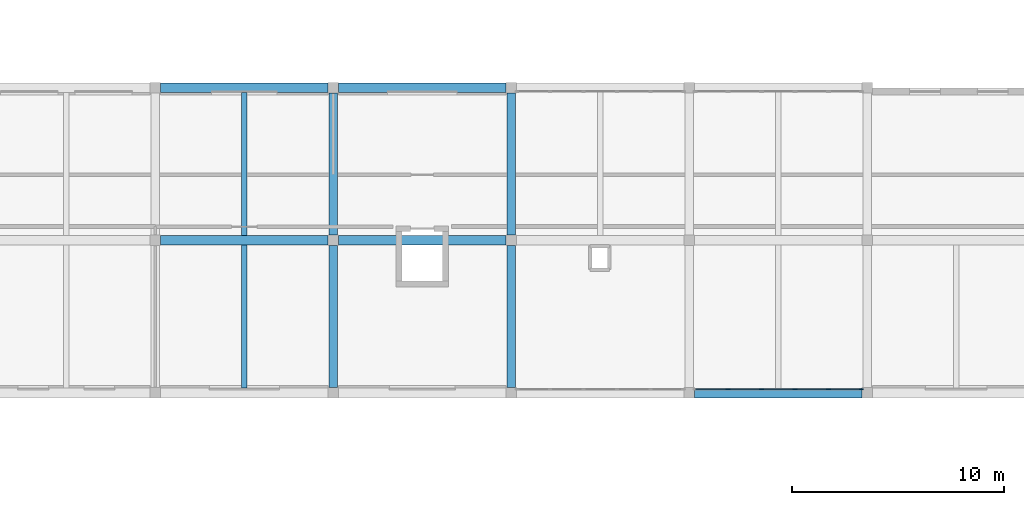
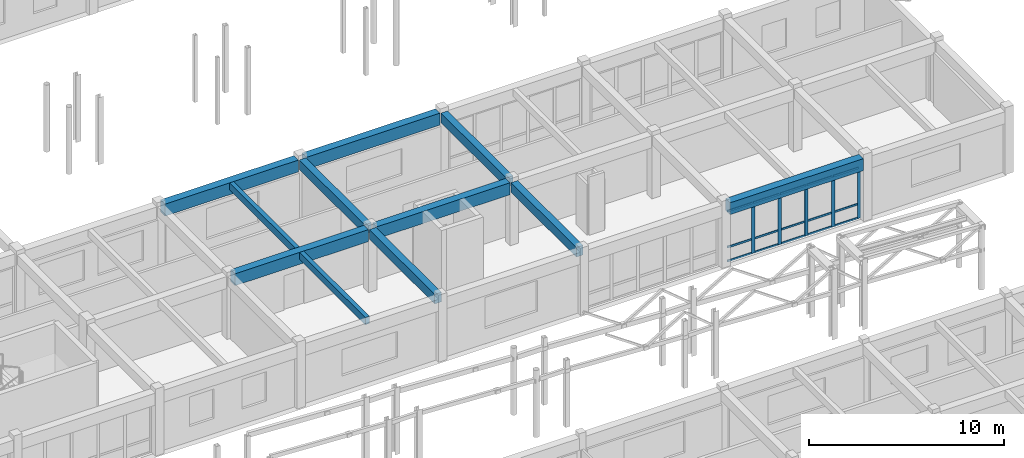
# One storey, part 48 of 90: 20 members, 11 beams, 1 element without a shape of its own.
"""IFC4 building model written with IfcOpenShell, lengths in metres."""

from ifc_helpers import new_model, si_unit, direction, frame, origin, origin_2d, place, context, subcontext, project, spatial, rectangle, extrude, material, material_profile, profile_set, type_object, element, aggregate, save


model = new_model("IFC4")

# Units and contexts
model_context = context("Model", 3, precision=1e-05, world=origin(), true_north=direction((0.0, 1.0)))
body_context = subcontext(model_context, "Body", "Model", "MODEL_VIEW")
ifc_project = project(units=[si_unit("LENGTHUNIT", "METRE"), si_unit("AREAUNIT", "SQUARE_METRE"), si_unit("VOLUMEUNIT", "CUBIC_METRE"), si_unit("PLANEANGLEUNIT", "RADIAN"), si_unit("MASSUNIT", "GRAM", prefix="KILO")], contexts=[model_context])

# Site, building, storey
site_placement = place(None, origin())
site = spatial("IfcSite", under=ifc_project, at=site_placement, CompositionType="ELEMENT")
building_placement = place(site_placement, origin())
building = spatial("IfcBuilding", under=site, at=building_placement, Name="Malvenik Polytechnic", CompositionType="ELEMENT")
storey_placement = place(building_placement, frame((0.0, 0.0, 9.300048828125)))
storey = spatial("IfcBuildingStorey", under=building, at=storey_placement, Name="L02", CompositionType="ELEMENT", Elevation=9.300048828125)

# Curtain wall, members
ifc_material_1 = material(Name="Anodised aluminium 6060-T6", Category="aluminium")
curtain_wall_type = type_object("IfcCurtainWallType", Name="ARC-CW-CW-03", PredefinedType="NOTDEFINED", material=ifc_material_1)
curtain_wall_placement = place(storey_placement, origin())
curtain_wall = element("IfcCurtainWall", 1, at=curtain_wall_placement, inside=storey, type_object=curtain_wall_type, Name="Unitised Curtain Wall CW-03 L02 #147", PredefinedType="NOTDEFINED")
ifc_material_2 = material(Name="Anodised aluminium", Category="aluminium")
ifc_material_profile_1 = material_profile(ifc_material_2, rectangle(XDim=0.06005859375, YDim=0.199951171875, at=origin_2d()), Name="ALU MULLION 60x200")
ifc_profile_set_1 = profile_set([ifc_material_profile_1], Name="Anodised aluminium")
member_type_1 = type_object("IfcMemberType", Name="ARC-CWM-200", PredefinedType="MULLION", material=ifc_profile_set_1)
member_1_placement = place(storey_placement, frame((125.721923828125, 79.3701171875, 0.0), z_axis=(0.0, 0.0, 1.0), x_axis=(0.0, -1.0, 0.0)))
member_1 = element("IfcMember", 2, at=member_1_placement, type_object=member_type_1, Name="CW-03 mullion 1", PredefinedType="MULLION", context=body_context, shape_type="SweptSolid", body=[
    extrude(rectangle(XDim=0.06005859375, YDim=0.199951171875, at=origin_2d()), origin(), (0.0, 0.0, 1.0), 3.179931640625),
])
member_2_placement = place(storey_placement, frame((124.171142578125, 79.3701171875, 0.0), z_axis=(0.0, 0.0, 1.0), x_axis=(0.0, -1.0, 0.0)))
member_2 = element("IfcMember", 3, at=member_2_placement, type_object=member_type_1, Name="CW-03 mullion 2", PredefinedType="MULLION", context=body_context, shape_type="SweptSolid", body=[
    extrude(rectangle(XDim=0.06005859375, YDim=0.199951171875, at=origin_2d()), origin(), (0.0, 0.0, 1.0), 3.179931640625),
])
member_3_placement = place(storey_placement, frame((122.59033203125, 79.3701171875, 0.0), z_axis=(0.0, 0.0, 1.0), x_axis=(0.0, -1.0, 0.0)))
member_3 = element("IfcMember", 4, at=member_3_placement, type_object=member_type_1, Name="CW-03 mullion 3", PredefinedType="MULLION", context=body_context, shape_type="SweptSolid", body=[
    extrude(rectangle(XDim=0.06005859375, YDim=0.199951171875, at=origin_2d()), origin(), (0.0, 0.0, 1.0), 3.179931640625),
])
member_4_placement = place(storey_placement, frame((121.009521484375, 79.3701171875, 0.0), z_axis=(0.0, 0.0, 1.0), x_axis=(0.0, -1.0, 0.0)))
member_4 = element("IfcMember", 5, at=member_4_placement, type_object=member_type_1, Name="CW-03 mullion 4", PredefinedType="MULLION", context=body_context, shape_type="SweptSolid", body=[
    extrude(rectangle(XDim=0.06005859375, YDim=0.199951171875, at=origin_2d()), origin(), (0.0, 0.0, 1.0), 3.179931640625),
])
member_5_placement = place(storey_placement, frame((119.4287109375, 79.3701171875, 0.0), z_axis=(0.0, 0.0, 1.0), x_axis=(0.0, -1.0, 0.0)))
member_5 = element("IfcMember", 6, at=member_5_placement, type_object=member_type_1, Name="CW-03 mullion 5", PredefinedType="MULLION", context=body_context, shape_type="SweptSolid", body=[
    extrude(rectangle(XDim=0.06005859375, YDim=0.199951171875, at=origin_2d()), origin(), (0.0, 0.0, 1.0), 3.179931640625),
])
ifc_material_profile_2 = material_profile(ifc_material_2, rectangle(XDim=0.06005859375, YDim=0.1201171875, at=origin_2d()), Name="ALU TRANSOM 60x120")
ifc_profile_set_2 = profile_set([ifc_material_profile_2], Name="Anodised aluminium")
member_type_2 = type_object("IfcMemberType", Name="ARC-CWT-120", PredefinedType="USERDEFINED", material=ifc_profile_set_2)
member_6_placement = place(storey_placement, frame((125.69189453125, 79.3701171875, 0.030029296875), z_axis=(-1.0, 0.0, 0.0), x_axis=(0.0, -1.0, 0.0)))
member_6 = element("IfcMember", 7, at=member_6_placement, type_object=member_type_2, Name="CW-03 transom 1.1", ObjectType="TRANSOM", PredefinedType="USERDEFINED", context=body_context, shape_type="SweptSolid", body=[
    extrude(rectangle(XDim=0.06005859375, YDim=0.1201171875, at=origin_2d()), origin(), (0.0, 0.0, 1.0), 1.49072265625),
])
member_7_placement = place(storey_placement, frame((125.69189453125, 79.3701171875, 0.89990234375), z_axis=(-1.0, 0.0, 0.0), x_axis=(0.0, -1.0, 0.0)))
member_7 = element("IfcMember", 8, at=member_7_placement, type_object=member_type_2, Name="CW-03 transom 1.2", ObjectType="TRANSOM", PredefinedType="USERDEFINED", context=body_context, shape_type="SweptSolid", body=[
    extrude(rectangle(XDim=0.06005859375, YDim=0.1201171875, at=origin_2d()), origin(), (0.0, 0.0, 1.0), 1.49072265625),
])
member_8_placement = place(storey_placement, frame((125.69189453125, 79.3701171875, 3.14990234375), z_axis=(-1.0, 0.0, 0.0), x_axis=(0.0, -1.0, 0.0)))
member_8 = element("IfcMember", 9, at=member_8_placement, type_object=member_type_2, Name="CW-03 transom 1.3", ObjectType="TRANSOM", PredefinedType="USERDEFINED", context=body_context, shape_type="SweptSolid", body=[
    extrude(rectangle(XDim=0.06005859375, YDim=0.1201171875, at=origin_2d()), origin(), (0.0, 0.0, 1.0), 1.49072265625),
])
member_9_placement = place(storey_placement, frame((124.14111328125, 79.3701171875, 0.030029296875), z_axis=(-1.0, 0.0, 0.0), x_axis=(0.0, -1.0, 0.0)))
member_9 = element("IfcMember", 10, at=member_9_placement, type_object=member_type_2, Name="CW-03 transom 2.1", ObjectType="TRANSOM", PredefinedType="USERDEFINED", context=body_context, shape_type="SweptSolid", body=[
    extrude(rectangle(XDim=0.06005859375, YDim=0.1201171875, at=origin_2d()), origin(), (0.0, 0.0, 1.0), 1.520751953125),
])
member_10_placement = place(storey_placement, frame((124.14111328125, 79.3701171875, 0.89990234375), z_axis=(-1.0, 0.0, 0.0), x_axis=(0.0, -1.0, 0.0)))
member_10 = element("IfcMember", 11, at=member_10_placement, type_object=member_type_2, Name="CW-03 transom 2.2", ObjectType="TRANSOM", PredefinedType="USERDEFINED", context=body_context, shape_type="SweptSolid", body=[
    extrude(rectangle(XDim=0.06005859375, YDim=0.1201171875, at=origin_2d()), origin(), (0.0, 0.0, 1.0), 1.520751953125),
])
member_11_placement = place(storey_placement, frame((124.14111328125, 79.3701171875, 3.14990234375), z_axis=(-1.0, 0.0, 0.0), x_axis=(0.0, -1.0, 0.0)))
member_11 = element("IfcMember", 12, at=member_11_placement, type_object=member_type_2, Name="CW-03 transom 2.3", ObjectType="TRANSOM", PredefinedType="USERDEFINED", context=body_context, shape_type="SweptSolid", body=[
    extrude(rectangle(XDim=0.06005859375, YDim=0.1201171875, at=origin_2d()), origin(), (0.0, 0.0, 1.0), 1.520751953125),
])
member_12_placement = place(storey_placement, frame((122.560302734375, 79.3701171875, 0.030029296875), z_axis=(-1.0, 0.0, 0.0), x_axis=(0.0, -1.0, 0.0)))
member_12 = element("IfcMember", 13, at=member_12_placement, type_object=member_type_2, Name="CW-03 transom 3.1", ObjectType="TRANSOM", PredefinedType="USERDEFINED", context=body_context, shape_type="SweptSolid", body=[
    extrude(rectangle(XDim=0.06005859375, YDim=0.1201171875, at=origin_2d()), origin(), (0.0, 0.0, 1.0), 1.520751953125),
])
member_13_placement = place(storey_placement, frame((122.560302734375, 79.3701171875, 0.89990234375), z_axis=(-1.0, 0.0, 0.0), x_axis=(0.0, -1.0, 0.0)))
member_13 = element("IfcMember", 14, at=member_13_placement, type_object=member_type_2, Name="CW-03 transom 3.2", ObjectType="TRANSOM", PredefinedType="USERDEFINED", context=body_context, shape_type="SweptSolid", body=[
    extrude(rectangle(XDim=0.06005859375, YDim=0.1201171875, at=origin_2d()), origin(), (0.0, 0.0, 1.0), 1.520751953125),
])
member_14_placement = place(storey_placement, frame((122.560302734375, 79.3701171875, 3.14990234375), z_axis=(-1.0, 0.0, 0.0), x_axis=(0.0, -1.0, 0.0)))
member_14 = element("IfcMember", 15, at=member_14_placement, type_object=member_type_2, Name="CW-03 transom 3.3", ObjectType="TRANSOM", PredefinedType="USERDEFINED", context=body_context, shape_type="SweptSolid", body=[
    extrude(rectangle(XDim=0.06005859375, YDim=0.1201171875, at=origin_2d()), origin(), (0.0, 0.0, 1.0), 1.520751953125),
])
member_15_placement = place(storey_placement, frame((120.9794921875, 79.3701171875, 0.030029296875), z_axis=(-1.0, 0.0, 0.0), x_axis=(0.0, -1.0, 0.0)))
member_15 = element("IfcMember", 16, at=member_15_placement, type_object=member_type_2, Name="CW-03 transom 4.1", ObjectType="TRANSOM", PredefinedType="USERDEFINED", context=body_context, shape_type="SweptSolid", body=[
    extrude(rectangle(XDim=0.06005859375, YDim=0.1201171875, at=origin_2d()), origin(), (0.0, 0.0, 1.0), 1.520751953125),
])
member_16_placement = place(storey_placement, frame((120.9794921875, 79.3701171875, 0.89990234375), z_axis=(-1.0, 0.0, 0.0), x_axis=(0.0, -1.0, 0.0)))
member_16 = element("IfcMember", 17, at=member_16_placement, type_object=member_type_2, Name="CW-03 transom 4.2", ObjectType="TRANSOM", PredefinedType="USERDEFINED", context=body_context, shape_type="SweptSolid", body=[
    extrude(rectangle(XDim=0.06005859375, YDim=0.1201171875, at=origin_2d()), origin(), (0.0, 0.0, 1.0), 1.520751953125),
])
member_17_placement = place(storey_placement, frame((120.9794921875, 79.3701171875, 3.14990234375), z_axis=(-1.0, 0.0, 0.0), x_axis=(0.0, -1.0, 0.0)))
member_17 = element("IfcMember", 18, at=member_17_placement, type_object=member_type_2, Name="CW-03 transom 4.3", ObjectType="TRANSOM", PredefinedType="USERDEFINED", context=body_context, shape_type="SweptSolid", body=[
    extrude(rectangle(XDim=0.06005859375, YDim=0.1201171875, at=origin_2d()), origin(), (0.0, 0.0, 1.0), 1.520751953125),
])
member_18_placement = place(storey_placement, frame((119.398681640625, 79.3701171875, 0.030029296875), z_axis=(-1.0, 0.0, 0.0), x_axis=(0.0, -1.0, 0.0)))
member_18 = element("IfcMember", 19, at=member_18_placement, type_object=member_type_2, Name="CW-03 transom 5.1", ObjectType="TRANSOM", PredefinedType="USERDEFINED", context=body_context, shape_type="SweptSolid", body=[
    extrude(rectangle(XDim=0.06005859375, YDim=0.1201171875, at=origin_2d()), origin(), (0.0, 0.0, 1.0), 1.49072265625),
])
member_19_placement = place(storey_placement, frame((119.398681640625, 79.3701171875, 0.89990234375), z_axis=(-1.0, 0.0, 0.0), x_axis=(0.0, -1.0, 0.0)))
member_19 = element("IfcMember", 20, at=member_19_placement, type_object=member_type_2, Name="CW-03 transom 5.2", ObjectType="TRANSOM", PredefinedType="USERDEFINED", context=body_context, shape_type="SweptSolid", body=[
    extrude(rectangle(XDim=0.06005859375, YDim=0.1201171875, at=origin_2d()), origin(), (0.0, 0.0, 1.0), 1.49072265625),
])
member_20_placement = place(storey_placement, frame((119.398681640625, 79.3701171875, 3.14990234375), z_axis=(-1.0, 0.0, 0.0), x_axis=(0.0, -1.0, 0.0)))
member_20 = element("IfcMember", 21, at=member_20_placement, type_object=member_type_2, Name="CW-03 transom 5.3", ObjectType="TRANSOM", PredefinedType="USERDEFINED", context=body_context, shape_type="SweptSolid", body=[
    extrude(rectangle(XDim=0.06005859375, YDim=0.1201171875, at=origin_2d()), origin(), (0.0, 0.0, 1.0), 1.49072265625),
])
aggregate(curtain_wall, [member_1, member_2, member_3, member_4, member_5, member_6, member_7, member_8, member_9, member_10, member_11, member_12, member_13, member_14, member_15, member_16, member_17, member_18, member_19, member_20])

# Beams
ifc_material_3 = material(Name="Concrete C35/45", Category="concrete")
ifc_material_profile_3 = material_profile(ifc_material_3, rectangle(XDim=0.449951171875, YDim=0.75, at=origin_2d()), Name="RC BM 450x750")
ifc_profile_set_3 = profile_set([ifc_material_profile_3], Name="Concrete C35/45")
beam_type_1 = type_object("IfcBeamType", Name="STR-BM-B-03", PredefinedType="BEAM", material=ifc_profile_set_3)
beam_1_placement = place(storey_placement, frame((92.64794921875, 86.39990234375, 3.56494140625), z_axis=(1.0, 0.0, 0.0), x_axis=(0.0, 1.0, 0.0)))
element("IfcBeam", 22, at=beam_1_placement, inside=storey, type_object=beam_type_1, Name="Primary Beam B-03 L02 #1399", PredefinedType="BEAM", context=body_context, shape_type="SweptSolid", body=[
    extrude(rectangle(XDim=0.449951171875, YDim=0.75, at=origin_2d()), origin(), (0.0, 0.0, 1.0), 7.904052734375),
])
beam_2_placement = place(storey_placement, frame((101.048095703125, 86.39990234375, 3.56494140625), z_axis=(1.0, 0.0, 0.0), x_axis=(0.0, 1.0, 0.0)))
element("IfcBeam", 23, at=beam_2_placement, inside=storey, type_object=beam_type_1, Name="Primary Beam B-03 L02 #1400", PredefinedType="BEAM", context=body_context, shape_type="SweptSolid", body=[
    extrude(rectangle(XDim=0.449951171875, YDim=0.75, at=origin_2d()), origin(), (0.0, 0.0, 1.0), 7.90380859375),
])
ifc_material_profile_4 = material_profile(ifc_material_3, rectangle(XDim=0.39990234375, YDim=0.60009765625, at=origin_2d()), Name="RC BM 400x600")
ifc_profile_set_4 = profile_set([ifc_material_profile_4], Name="Concrete C35/45")
beam_type_2 = type_object("IfcBeamType", Name="STR-BM-B-06", PredefinedType="BEAM", material=ifc_profile_set_4)
for number, where, z_axis, x_axis, name in (
    (24, (100.800048828125, 79.447998046875, 3.639892578125), (0.0, 1.0, 0.0), (-1.0, 0.0, 0.0), "Transverse Beam B-06 L02 #1535"),
    (25, (100.800048828125, 86.64794921875, 3.639892578125), (0.0, 1.0, 0.0), (-1.0, 0.0, 0.0), "Transverse Beam B-06 L02 #1536"),
    (26, (109.199951171875, 79.447998046875, 3.639892578125), (0.0, 1.0, 0.0), (-1.0, 0.0, 0.0), "Transverse Beam B-06 L02 #1539"),
    (27, (109.199951171875, 86.64794921875, 3.639892578125), (0.0, 1.0, 0.0), (-1.0, 0.0, 0.0), "Transverse Beam B-06 L02 #1540"),
):
    element("IfcBeam", number, at=place(storey_placement, frame(where, z_axis=z_axis, x_axis=x_axis)), inside=storey, type_object=beam_type_2, Name=name, PredefinedType="BEAM", context=body_context, shape_type="SweptSolid", body=[
        extrude(rectangle(XDim=0.39990234375, YDim=0.60009765625, at=origin_2d()), origin(), (0.0, 0.0, 1.0), 6.7041015625),
    ])
ifc_material_4 = material(Name="Concrete C30/37", Category="concrete")
ifc_material_profile_5 = material_profile(ifc_material_4, rectangle(XDim=0.25, YDim=0.449951171875, at=origin_2d()), Name="RC JST 250x450")
ifc_profile_set_5 = profile_set([ifc_material_profile_5], Name="Concrete C30/37")
beam_type_3 = type_object("IfcBeamType", Name="STR-BM-J-02", PredefinedType="JOIST", material=ifc_profile_set_5)
for number, where, z_axis, x_axis, name in (
    (28, (96.60009765625, 79.427978515625, 3.71484375), (0.0, 1.0, 0.0), (-1.0, 0.0, 0.0), "Secondary Rib Joist J-02 L02 #1605"),
    (29, (96.60009765625, 86.623046875, 3.71484375), (0.0, 1.0, 0.0), (-1.0, 0.0, 0.0), "Secondary Rib Joist J-02 L02 #1606"),
):
    element("IfcBeam", number, at=place(storey_placement, frame(where, z_axis=z_axis, x_axis=x_axis)), inside=storey, type_object=beam_type_3, Name=name, PredefinedType="JOIST", context=body_context, shape_type="SweptSolid", body=[
        extrude(rectangle(XDim=0.25, YDim=0.449951171875, at=origin_2d()), origin(), (0.0, 0.0, 1.0), 6.7490234375),
    ])
ifc_material_5 = material(Name="Precast concrete C40/50", Category="concrete")
ifc_material_profile_6 = material_profile(ifc_material_5, rectangle(XDim=0.4599609375, YDim=0.75, at=origin_2d()), Name="PC SPN 460x750")
ifc_profile_set_6 = profile_set([ifc_material_profile_6], Name="Precast concrete C40/50")
beam_type_4 = type_object("IfcBeamType", Name="STR-BM-SP-02", PredefinedType="SPANDREL", material=ifc_profile_set_6)
for number, where, z_axis, x_axis, name in (
    (30, (117.847900390625, 79.199951171875, 3.56494140625), (1.0, 0.0, 0.0), (0.0, 1.0, 0.0), "Primary Beam SP-02 L02 #1390"),
    (31, (92.64794921875, 93.60009765625, 3.56494140625), (1.0, 0.0, 0.0), (0.0, 1.0, 0.0), "Primary Beam SP-02 L02 #1415"),
):
    element("IfcBeam", number, at=place(storey_placement, frame(where, z_axis=z_axis, x_axis=x_axis)), inside=storey, type_object=beam_type_4, Name=name, PredefinedType="SPANDREL", context=body_context, shape_type="SweptSolid", body=[
        extrude(rectangle(XDim=0.4599609375, YDim=0.75, at=origin_2d()), origin(), (0.0, 0.0, 1.0), 7.904052734375),
    ])
beam_3_placement = place(storey_placement, frame((101.048095703125, 93.60009765625, 3.56494140625), z_axis=(1.0, 0.0, 0.0), x_axis=(0.0, 1.0, 0.0)))
element("IfcBeam", 32, at=beam_3_placement, inside=storey, type_object=beam_type_4, Name="Primary Beam SP-02 L02 #1416", PredefinedType="SPANDREL", context=body_context, shape_type="SweptSolid", body=[
    extrude(rectangle(XDim=0.4599609375, YDim=0.75, at=origin_2d()), origin(), (0.0, 0.0, 1.0), 7.90380859375),
])

save(model, "model.ifc")
